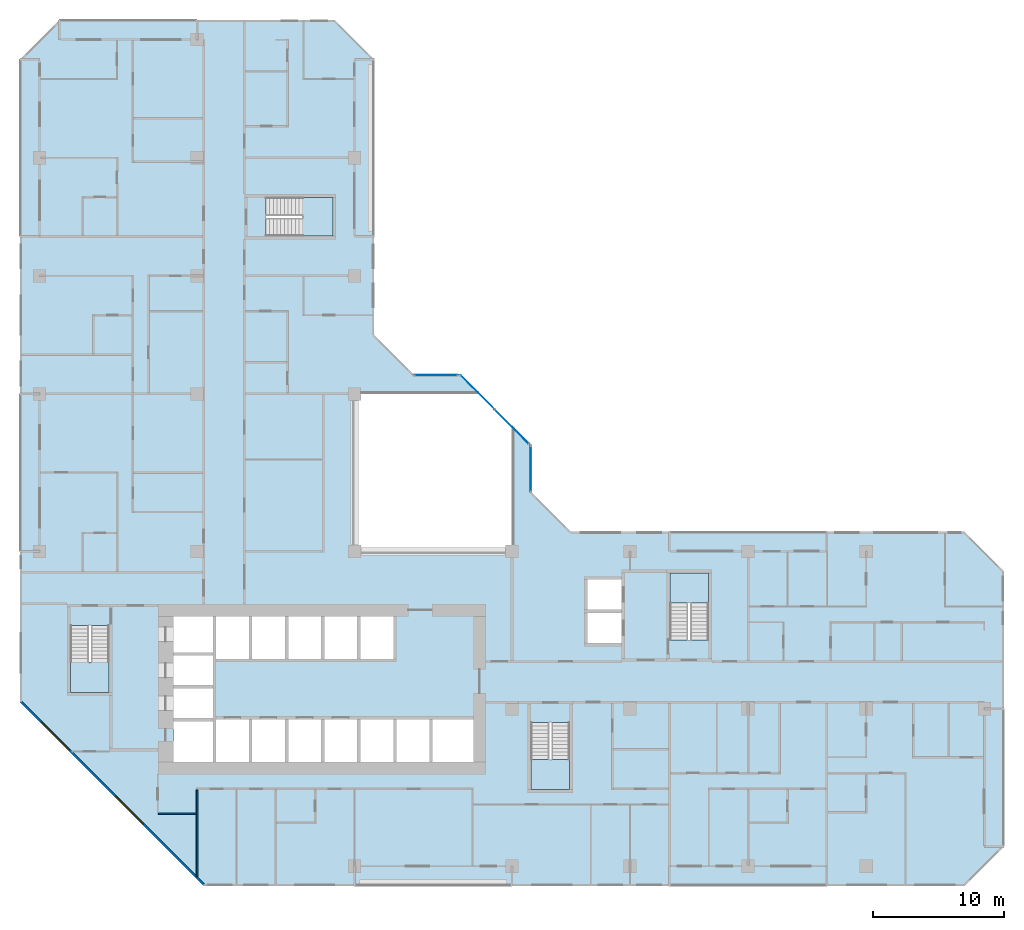
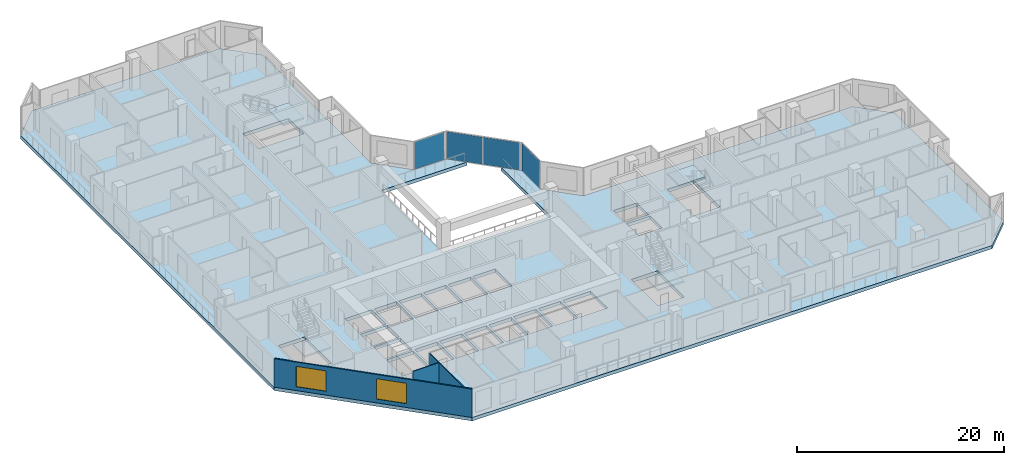
# One storey, part 3 of 14: 5 slabs, 4 plates, 3 walls, 2 windows, 2 openings, 7 elements without a shape of their own.
"""IFC4 building model written with IfcOpenShell, lengths in metres."""

from ifc_helpers import new_model, si_unit, direction, frame, frame_2d, origin, origin_2d, place, context, subcontext, project, spatial, polyline, rectangle, outline, extrude, material, layer, layer_set, type_object, element, fill, aggregate, save


model = new_model("IFC4")

# Units and contexts
model_context = context("Model", 3, precision=1e-05, world=origin(), true_north=direction((0.0, 1.0)))
body_context = subcontext(model_context, "Body", "Model", "MODEL_VIEW")
ifc_project = project(units=[si_unit("LENGTHUNIT", "METRE"), si_unit("AREAUNIT", "SQUARE_METRE"), si_unit("VOLUMEUNIT", "CUBIC_METRE"), si_unit("PLANEANGLEUNIT", "RADIAN"), si_unit("MASSUNIT", "GRAM", prefix="KILO")], contexts=[model_context])

# Site, building, storey
site_placement = place(None, origin())
site = spatial("IfcSite", under=ifc_project, at=site_placement, CompositionType="ELEMENT")
building_placement = place(site_placement, origin())
building = spatial("IfcBuilding", under=site, at=building_placement, Name="Chenar Terraces", CompositionType="ELEMENT")
storey_placement = place(building_placement, frame((0.0, 0.0, 110.64990234375)))
storey = spatial("IfcBuildingStorey", under=building, at=storey_placement, Name="L25", CompositionType="ELEMENT", Elevation=110.64990234375)

# Curtain wall, plate
ifc_material_1 = material(Name="Aluminium framed glazing", Category="aluminium")
ifc_layer_1 = layer(ifc_material_1, 0.14990234375)
ifc_layer_set_1 = layer_set([ifc_layer_1], Name="Aluminium framed glazing")
curtain_wall_type = type_object("IfcCurtainWallType", Name="Atrium curtain wall", PredefinedType="NOTDEFINED", material=ifc_layer_set_1)
placement_1 = place(storey_placement, origin())
curtain_wall_1 = element("IfcCurtainWall", 1, at=placement_1, inside=storey, type_object=curtain_wall_type, Name="Atrium curtain wall", PredefinedType="NOTDEFINED")
ifc_material_2 = material(Name="Low emissivity laminated glass, solar control coating", Category="glass")
ifc_layer_2 = layer(ifc_material_2, 0.028076171875)
ifc_layer_set_2 = layer_set([ifc_layer_2], Name="Low emissivity laminated glass, solar control coating")
plate_type = type_object("IfcPlateType", Name="Atrium glazing panel 28", PredefinedType="CURTAIN_PANEL", material=ifc_layer_set_2)
plate_1_placement = place(storey_placement, frame((37.425048828125, 30.300048828125, 0.06005859375), z_axis=(0.0, 0.0, 1.0), x_axis=(0.0, 1.0, 0.0)))
plate_1 = element("IfcPlate", 2, at=plate_1_placement, type_object=plate_type, Name="CW1-1 panel 1.1", PredefinedType="CURTAIN_PANEL", context=body_context, shape_type="SweptSolid", body=[
    extrude(rectangle(XDim=3.47998046875, YDim=0.028076171875, at=origin_2d()), origin(), (0.0, 0.0, 1.0), 3.22998046875),
])
aggregate(curtain_wall_1, [plate_1])

# Curtain wall, plates
curtain_wall_2 = element("IfcCurtainWall", 3, at=placement_1, inside=storey, type_object=curtain_wall_type, Name="Atrium curtain wall", PredefinedType="NOTDEFINED")
plate_2_placement = place(storey_placement, frame((35.980224609375, 33.513671875, 0.06005859375), z_axis=(0.0, 0.0, 1.0), x_axis=(-0.707106781187, 0.707106781187, 0.0)))
plate_2 = element("IfcPlate", 4, at=plate_2_placement, type_object=plate_type, Name="CW1-2 panel 1.1", PredefinedType="CURTAIN_PANEL", context=body_context, shape_type="SweptSolid", body=[
    extrude(rectangle(XDim=3.62841796875, YDim=0.028076171875, at=origin_2d()), origin(), (0.0, 0.0, 1.0), 3.22998046875),
])
plate_3_placement = place(storey_placement, frame((33.3720703125, 36.121826171875, 0.06005859375), z_axis=(0.0, 0.0, 1.0), x_axis=(-0.707106781187, 0.707106781187, 0.0)))
plate_3 = element("IfcPlate", 5, at=plate_3_placement, type_object=plate_type, Name="CW1-2 panel 2.1", PredefinedType="CURTAIN_PANEL", context=body_context, shape_type="SweptSolid", body=[
    extrude(rectangle(XDim=3.62841796875, YDim=0.028076171875, at=origin_2d()), origin(), (0.0, 0.0, 1.0), 3.22998046875),
])
aggregate(curtain_wall_2, [plate_2, plate_3])

# Curtain wall, plate
curtain_wall_3 = element("IfcCurtainWall", 6, at=placement_1, inside=storey, type_object=curtain_wall_type, Name="Atrium curtain wall", PredefinedType="NOTDEFINED")
plate_4_placement = place(storey_placement, frame((30.199951171875, 37.425048828125, 0.06005859375), z_axis=(0.0, 0.0, 1.0), x_axis=(-1.0, 0.0, 0.0)))
plate_4 = element("IfcPlate", 7, at=plate_4_placement, type_object=plate_type, Name="CW1-3 panel 1.1", PredefinedType="CURTAIN_PANEL", context=body_context, shape_type="SweptSolid", body=[
    extrude(rectangle(XDim=3.280029296875, YDim=0.028076171875, at=origin_2d()), origin(), (0.0, 0.0, 1.0), 3.22998046875),
])
aggregate(curtain_wall_3, [plate_4])

# Stair, slab
ifc_material_3 = material(Name="Reinforced concrete C40/50", Category="concrete")
stair_type = type_object("IfcStairType", Name="Core stair 1400 half-turn", PredefinedType="HALF_TURN_STAIR", material=ifc_material_3)
stair_1 = element("IfcStair", 8, at=placement_1, inside=storey, type_object=stair_type, Name="L25 Stair 1", PredefinedType="HALF_TURN_STAIR")
ifc_material_4 = material(Name="Reinforced concrete C40/50", Category="concrete")
ifc_layer_3 = layer(ifc_material_4, 0.199951171875)
ifc_layer_set_3 = layer_set([ifc_layer_3], Name="Reinforced concrete C40/50")
slab_type_1 = type_object("IfcSlabType", Name="Core stair landing 200", PredefinedType="LANDING", material=ifc_layer_set_3)
placement_2 = place(storey_placement, frame((0.0, 0.0, 1.675048828125)))
slab_1 = element("IfcSlab", 9, at=placement_2, type_object=slab_type_1, Name="ST1 landing 1", PredefinedType="LANDING", context=body_context, shape_type="SweptSolid", body=[
    extrude(outline(polyline([(2.35009765625, 15.550048828125), (2.35009765625, 13.25), (5.300048828125, 13.25), (5.300048828125, 15.550048828125), (2.35009765625, 15.550048828125)])), origin(), (0.0, 0.0, 1.0), 0.199951171875),
])
aggregate(stair_1, [slab_1])

stair_2 = element("IfcStair", 10, at=placement_1, inside=storey, type_object=stair_type, Name="L25 Stair 2", PredefinedType="HALF_TURN_STAIR")
slab_2 = element("IfcSlab", 11, at=placement_2, type_object=slab_type_1, Name="ST2 landing 1", PredefinedType="LANDING", context=body_context, shape_type="SweptSolid", body=[
    extrude(outline(polyline([(37.449951171875, 8.14990234375), (37.449951171875, 5.85009765625), (40.39990234375, 5.85009765625), (40.39990234375, 8.14990234375), (37.449951171875, 8.14990234375)])), origin(), (0.0, 0.0, 1.0), 0.199951171875),
])
aggregate(stair_2, [slab_2])

stair_3 = element("IfcStair", 12, at=placement_1, inside=storey, type_object=stair_type, Name="L25 Stair 3", PredefinedType="HALF_TURN_STAIR")
slab_3 = element("IfcSlab", 13, at=placement_2, type_object=slab_type_1, Name="ST3 landing 1", PredefinedType="LANDING", context=body_context, shape_type="SweptSolid", body=[
    extrude(outline(polyline([(50.97509765625, 20.050048828125), (50.97509765625, 22.35009765625), (48.02490234375, 22.35009765625), (48.02490234375, 20.050048828125), (50.97509765625, 20.050048828125)])), origin(), (0.0, 0.0, 1.0), 0.199951171875),
])
aggregate(stair_3, [slab_3])

stair_4 = element("IfcStair", 14, at=placement_1, inside=storey, type_object=stair_type, Name="L25 Stair 4", PredefinedType="HALF_TURN_STAIR")
slab_4 = element("IfcSlab", 15, at=placement_2, type_object=slab_type_1, Name="ST4 landing 1", PredefinedType="LANDING", context=body_context, shape_type="SweptSolid", body=[
    extrude(outline(polyline([(20.050048828125, 48.02490234375), (22.35009765625, 48.02490234375), (22.35009765625, 50.97509765625), (20.050048828125, 50.97509765625), (20.050048828125, 48.02490234375)])), origin(), (0.0, 0.0, 1.0), 0.199951171875),
])
aggregate(stair_4, [slab_4])

# Slab
ifc_material_5 = material(Name="Concrete C40/50", Category="concrete")
ifc_layer_4 = layer(ifc_material_5, 0.39990234375)
ifc_layer_set_4 = layer_set([ifc_layer_4], Name="Concrete C40/50")
slab_type_2 = type_object("IfcSlabType", Name="Floor slab 400 Concrete C40/50", PredefinedType="FLOOR", material=ifc_layer_set_4)
slab_5_placement = place(storey_placement, frame((0.0, 0.0, -0.39990234375)))
element("IfcSlab", 16, at=slab_5_placement, inside=storey, type_object=slab_type_2, Name="Floor slab L25", PredefinedType="FLOOR", context=body_context, shape_type="SweptSolid", body=[
    extrude(outline(polyline([(73.5, 22.5), (73.5, 1.5), (70.5, -1.5), (12.5, -1.5), (-1.5, 12.5), (-1.5, 61.5), (1.5, 64.5), (22.5, 64.5), (25.5, 61.5), (25.5, 40.5), (28.5, 37.5), (32.10009765625, 37.5), (33.60009765625, 36.0), (24.0, 36.0), (24.0, 24.0), (36.0, 24.0), (36.0, 33.60009765625), (37.5, 32.10009765625), (37.5, 28.5), (40.5, 25.5), (70.5, 25.5), (73.5, 22.5)]), holes=[polyline([(13.199951171875, 11.050048828125), (10.199951171875, 11.050048828125), (10.199951171875, 7.949951171875), (13.199951171875, 7.949951171875), (13.199951171875, 11.050048828125)]), polyline([(15.949951171875, 11.199951171875), (13.449951171875, 11.199951171875), (13.449951171875, 7.949951171875), (15.949951171875, 7.949951171875), (15.949951171875, 11.199951171875)]), polyline([(18.699951171875, 11.199951171875), (16.199951171875, 11.199951171875), (16.199951171875, 7.949951171875), (18.699951171875, 7.949951171875), (18.699951171875, 11.199951171875)]), polyline([(21.449951171875, 7.949951171875), (21.449951171875, 11.199951171875), (18.949951171875, 11.199951171875), (18.949951171875, 7.949951171875), (21.449951171875, 7.949951171875)]), polyline([(13.199951171875, 11.300048828125), (13.199951171875, 13.550048828125), (10.199951171875, 13.550048828125), (10.199951171875, 11.300048828125), (13.199951171875, 11.300048828125)]), polyline([(13.199951171875, 16.050048828125), (10.199951171875, 16.050048828125), (10.199951171875, 13.800048828125), (13.199951171875, 13.800048828125), (13.199951171875, 16.050048828125)]), polyline([(2.35009765625, 18.35009765625), (2.35009765625, 13.25), (5.300048828125, 13.25), (5.300048828125, 18.35009765625), (2.35009765625, 18.35009765625)]), polyline([(15.949951171875, 15.800048828125), (15.949951171875, 19.050048828125), (13.449951171875, 19.050048828125), (13.449951171875, 15.800048828125), (15.949951171875, 15.800048828125)]), polyline([(18.699951171875, 19.050048828125), (16.199951171875, 19.050048828125), (16.199951171875, 15.800048828125), (18.699951171875, 15.800048828125), (18.699951171875, 19.050048828125)]), polyline([(21.449951171875, 15.800048828125), (21.449951171875, 19.050048828125), (18.949951171875, 19.050048828125), (18.949951171875, 15.800048828125), (21.449951171875, 15.800048828125)]), polyline([(13.199951171875, 16.300048828125), (13.199951171875, 19.050048828125), (10.199951171875, 19.050048828125), (10.199951171875, 16.300048828125), (13.199951171875, 16.300048828125)]), polyline([(22.35009765625, 48.02490234375), (22.35009765625, 50.97509765625), (17.25, 50.97509765625), (17.25, 48.02490234375), (22.35009765625, 48.02490234375)]), polyline([(37.449951171875, 10.949951171875), (37.449951171875, 5.85009765625), (40.39990234375, 5.85009765625), (40.39990234375, 10.949951171875), (37.449951171875, 10.949951171875)]), polyline([(24.199951171875, 7.949951171875), (24.199951171875, 11.199951171875), (21.699951171875, 11.199951171875), (21.699951171875, 7.949951171875), (24.199951171875, 7.949951171875)]), polyline([(26.949951171875, 11.199951171875), (24.449951171875, 11.199951171875), (24.449951171875, 7.949951171875), (26.949951171875, 7.949951171875), (26.949951171875, 11.199951171875)]), polyline([(29.699951171875, 7.949951171875), (29.699951171875, 11.199951171875), (27.199951171875, 11.199951171875), (27.199951171875, 7.949951171875), (29.699951171875, 7.949951171875)]), polyline([(33.050048828125, 7.949951171875), (33.050048828125, 11.199951171875), (29.949951171875, 11.199951171875), (29.949951171875, 7.949951171875), (33.050048828125, 7.949951171875)]), polyline([(24.199951171875, 19.050048828125), (21.699951171875, 19.050048828125), (21.699951171875, 15.800048828125), (24.199951171875, 15.800048828125), (24.199951171875, 19.050048828125)]), polyline([(26.949951171875, 15.800048828125), (26.949951171875, 19.050048828125), (24.449951171875, 19.050048828125), (24.449951171875, 15.800048828125), (26.949951171875, 15.800048828125)]), polyline([(44.35009765625, 17.0), (44.35009765625, 19.300048828125), (41.75, 19.300048828125), (41.75, 17.0), (44.35009765625, 17.0)]), polyline([(50.97509765625, 22.35009765625), (48.02490234375, 22.35009765625), (48.02490234375, 17.25), (50.97509765625, 17.25), (50.97509765625, 22.35009765625)]), polyline([(44.35009765625, 19.550048828125), (44.35009765625, 21.85009765625), (41.75, 21.85009765625), (41.75, 19.550048828125), (44.35009765625, 19.550048828125)])]), origin(), (0.0, 0.0, 1.0), 0.39990234375),
])

# Walls
ifc_material_6 = material(Name="Gypsum board on steel studs", Category="steel")
ifc_layer_5 = layer(ifc_material_6, 0.10009765625)
ifc_layer_set_5 = layer_set([ifc_layer_5], Name="Gypsum board on steel studs")
wall_type_1 = type_object("IfcWallType", Name="Gypsum partition 100", PredefinedType="PARTITIONING", material=ifc_layer_set_5)
wall_1_placement = place(storey_placement, frame((9.050048828125, 4.0, 0.0), z_axis=(0.0, 0.0, 1.0), x_axis=(1.0, 0.0, 0.0)))
element("IfcWall", 17, at=wall_1_placement, inside=storey, type_object=wall_type_1, Name="Partition L25-031", PredefinedType="PARTITIONING", context=body_context, shape_type="SweptSolid", body=[
    extrude(rectangle(XDim=2.89990234375, YDim=0.10009765625, at=frame_2d((1.449951171875, 0.0))), origin(), (0.0, 0.0, 1.0), 3.35009765625),
])
wall_2_placement = place(storey_placement, frame((12.0, -0.787841796875, 0.0), z_axis=(0.0, 0.0, 1.0), x_axis=(0.0, 1.0, 0.0)))
element("IfcWall", 18, at=wall_2_placement, inside=storey, type_object=wall_type_1, Name="Partition L25-033", PredefinedType="PARTITIONING", context=body_context, shape_type="SweptSolid", body=[
    extrude(rectangle(XDim=6.61279296875, YDim=0.10009765625, at=frame_2d((3.306396484375, 0.0))), origin(), (0.0, 0.0, 1.0), 3.35009765625),
])

# Wall, openings, windows
ifc_material_7 = material(Name="Terracotta cladding on insulated backing", Category="masonry")
ifc_layer_6 = layer(ifc_material_7, 0.14990234375)
ifc_layer_set_6 = layer_set([ifc_layer_6], Name="Terracotta cladding on insulated backing")
wall_type_2 = type_object("IfcWallType", Name="Terracotta rainscreen wall 150", PredefinedType="SOLIDWALL", material=ifc_layer_set_6)
wall_3_placement = place(storey_placement, frame((-1.447021484375, 12.552978515625, 0.0), z_axis=(0.0, 0.0, 1.0), x_axis=(0.707106781187, -0.707106781187, 0.0)))
wall_3 = element("IfcWall", 19, at=wall_3_placement, inside=storey, type_object=wall_type_2, Name="Terracotta rainscreen wall", PredefinedType="SOLIDWALL", context=body_context, shape_type="SweptSolid", body=[
    extrude(rectangle(XDim=19.799072265625, YDim=0.14990234375, at=frame_2d((9.8994140625, 0.0))), origin(), (0.0, 0.0, 1.0), 3.35009765625),
])
opening_1_placement = place(wall_3_placement, frame((2.21240234375, 0.0, 0.449951171875)))
opening_1 = element("IfcOpeningElement", 20, at=opening_1_placement, cuts=wall_3, Name="Opening W300x240", PredefinedType="OPENING", context=body_context, shape_type="SweptSolid", body=[
    extrude(rectangle(XDim=3.0, YDim=2.39990234375, at=frame_2d((1.5, 1.199951171875))), frame((0.0, 0.0849609375, 0.0), z_axis=(0.0, -1.0, 0.0), x_axis=(1.0, 0.0, 0.0)), (0.0, 0.0, 1.0), 0.169921875),
])
opening_2_placement = place(wall_3_placement, frame((10.215576171875, 0.0, 0.449951171875)))
opening_2 = element("IfcOpeningElement", 21, at=opening_2_placement, cuts=wall_3, Name="Opening W300x240", PredefinedType="OPENING", context=body_context, shape_type="SweptSolid", body=[
    extrude(rectangle(XDim=3.0, YDim=2.39990234375, at=frame_2d((1.5, 1.199951171875))), frame((0.0, 0.0849609375, 0.0), z_axis=(0.0, -1.0, 0.0), x_axis=(1.0, 0.0, 0.0)), (0.0, 0.0, 1.0), 0.169921875),
])
ifc_material_8 = material(Name="Low emissivity double glazing, aluminium frame", Category="aluminium")
window_type = type_object("IfcWindowType", Name="Fixed light 3000 x 2400", PartitioningType="SINGLE_PANEL", PredefinedType="WINDOW", material=ifc_material_8)
window_1_placement = place(opening_1_placement, origin())
window_1 = element("IfcWindow", 22, at=window_1_placement, inside=storey, type_object=window_type, Name="Window", OverallHeight=2.39990234375, OverallWidth=3.0, PartitioningType="SINGLE_PANEL", PredefinedType="WINDOW", context=body_context, shape_type="SweptSolid", body=[
    extrude(rectangle(XDim=3.0, YDim=2.39990234375, at=frame_2d((1.5, 1.199951171875))), frame((0.0, 0.030029296875, 0.0), z_axis=(0.0, -1.0, 0.0), x_axis=(1.0, 0.0, 0.0)), (0.0, 0.0, 1.0), 0.06005859375),
])
fill(opening_1, window_1)
window_2_placement = place(opening_2_placement, origin())
window_2 = element("IfcWindow", 23, at=window_2_placement, inside=storey, type_object=window_type, Name="Window", OverallHeight=2.39990234375, OverallWidth=3.0, PartitioningType="SINGLE_PANEL", PredefinedType="WINDOW", context=body_context, shape_type="SweptSolid", body=[
    extrude(rectangle(XDim=3.0, YDim=2.39990234375, at=frame_2d((1.5, 1.199951171875))), frame((0.0, 0.030029296875, 0.0), z_axis=(0.0, -1.0, 0.0), x_axis=(1.0, 0.0, 0.0)), (0.0, 0.0, 1.0), 0.06005859375),
])
fill(opening_2, window_2)

save(model, "model.ifc")
